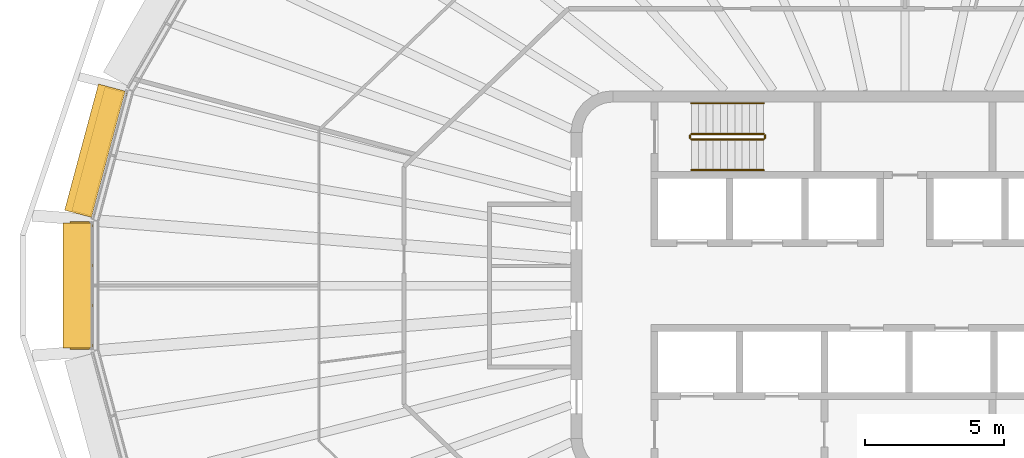
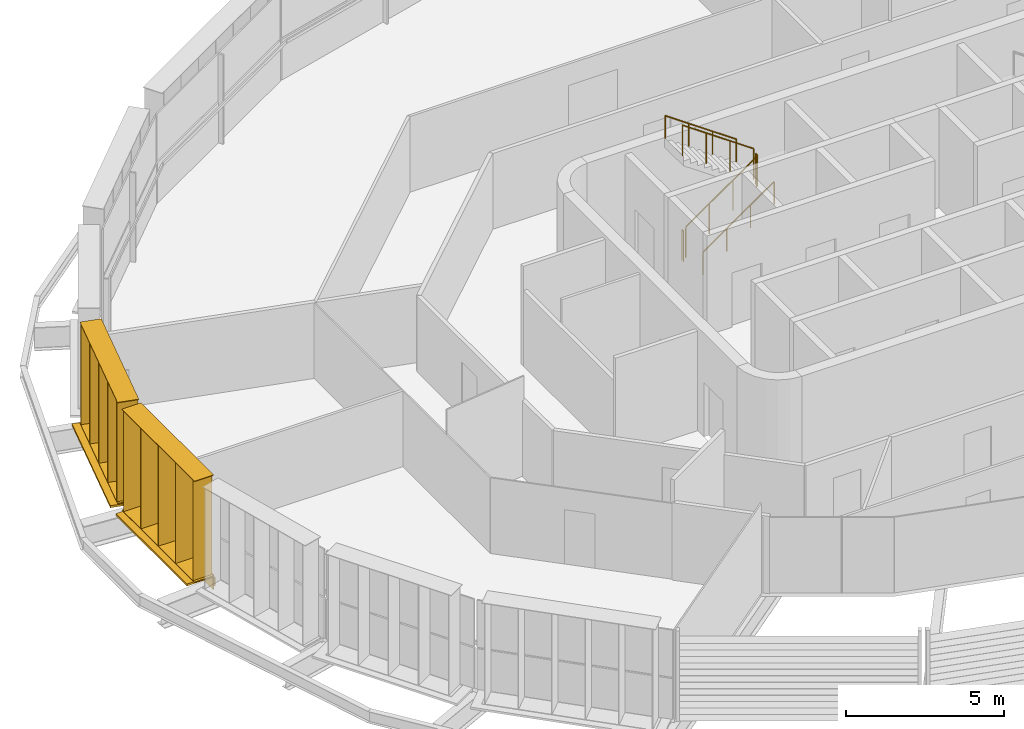
# One storey, part 15 of 19: 6 railings, 4 shading devices.
"""IFC4 building model written with IfcOpenShell, lengths in metres."""

from ifc_helpers import new_model, si_unit, direction, frame, origin, origin_2d, place, context, subcontext, project, spatial, rectangle, circle, extrude, material, type_object, element, save


model = new_model("IFC4")

# Units and contexts
model_context = context("Model", 3, precision=1e-05, world=origin(), true_north=direction((0.0, 1.0)))
body_context = subcontext(model_context, "Body", "Model", "MODEL_VIEW")
ifc_project = project(units=[si_unit("LENGTHUNIT", "METRE"), si_unit("AREAUNIT", "SQUARE_METRE"), si_unit("VOLUMEUNIT", "CUBIC_METRE"), si_unit("PLANEANGLEUNIT", "RADIAN"), si_unit("MASSUNIT", "GRAM", prefix="KILO")], contexts=[model_context])

# Site, building, storey
site_placement = place(None, origin())
site = spatial("IfcSite", under=ifc_project, at=site_placement, CompositionType="ELEMENT")
building_placement = place(site_placement, origin())
building = spatial("IfcBuilding", under=site, at=building_placement, Name="Sahrelin Media Tower", CompositionType="ELEMENT")
storey_placement = place(building_placement, frame((0.0, 0.0, 279.0)))
storey = spatial("IfcBuildingStorey", under=building, at=storey_placement, Name="L61", CompositionType="ELEMENT", Elevation=279.0)

# Shading devices
ifc_material_1 = material(Name="Champagne anodised aluminium 6063-T6", Category="aluminium")
shading_device_type_1 = type_object("IfcShadingDeviceType", Name="Fin cassette", PredefinedType="USERDEFINED", material=ifc_material_1)
placement_1 = place(storey_placement, frame((-28.601318359375, 4.712646484375, 0.0), z_axis=(0.0, 0.0, 1.0), x_axis=(0.258807731996, 0.965928857556, 0.0)))
element("IfcShadingDevice", 1, at=placement_1, inside=storey, type_object=shading_device_type_1, Name="L61:FIN:L61-11", ObjectType="FIN", PredefinedType="USERDEFINED", context=body_context, shape_type="SweptSolid", body=[
    extrude(rectangle(XDim=4.60009765625, YDim=0.699951171875, at=origin_2d()), frame((0.0, 0.419921875, 0.0)), (0.0, 0.0, 1.0), 0.02001953125),
    extrude(rectangle(XDim=4.60009765625, YDim=0.699951171875, at=origin_2d()), frame((0.0, 0.419921875, 3.89990234375)), (0.0, 0.0, 1.0), 0.02001953125),
    extrude(rectangle(XDim=0.02001953125, YDim=0.699951171875, at=origin_2d()), frame((-2.199951171875, 0.419921875, 0.010009765625), z_axis=(0.0, 0.0, 1.0), x_axis=(1.0, 0.0, 0.0)), (0.0, 0.0, 1.0), 3.89990234375),
    extrude(rectangle(XDim=0.02001953125, YDim=0.699951171875, at=origin_2d()), frame((-1.10009765625, 0.419921875, 0.010009765625), z_axis=(0.0, 0.0, 1.0), x_axis=(1.0, 0.0, 0.0)), (0.0, 0.0, 1.0), 3.89990234375),
    extrude(rectangle(XDim=0.02001953125, YDim=0.699951171875, at=origin_2d()), frame((0.0, 0.419921875, 0.010009765625), z_axis=(0.0, 0.0, 1.0), x_axis=(1.0, 0.0, 0.0)), (0.0, 0.0, 1.0), 3.89990234375),
    extrude(rectangle(XDim=0.02001953125, YDim=0.699951171875, at=origin_2d()), frame((1.10009765625, 0.419921875, 0.010009765625), z_axis=(0.0, 0.0, 1.0), x_axis=(1.0, 0.0, 0.0)), (0.0, 0.0, 1.0), 3.89990234375),
    extrude(rectangle(XDim=0.02001953125, YDim=0.699951171875, at=origin_2d()), frame((2.199951171875, 0.419921875, 0.010009765625), z_axis=(0.0, 0.0, 1.0), x_axis=(1.0, 0.0, 0.0)), (0.0, 0.0, 1.0), 3.89990234375),
])
placement_2 = place(storey_placement, frame((-29.234375, 0.0, 0.0), z_axis=(0.0, 0.0, 1.0), x_axis=(0.0, 1.0, 0.0)))
element("IfcShadingDevice", 2, at=placement_2, inside=storey, type_object=shading_device_type_1, Name="L61:FIN:L61-12", ObjectType="FIN", PredefinedType="USERDEFINED", context=body_context, shape_type="SweptSolid", body=[
    extrude(rectangle(XDim=4.60009765625, YDim=0.699951171875, at=origin_2d()), frame((0.0, 0.419921875, 0.0)), (0.0, 0.0, 1.0), 0.02001953125),
    extrude(rectangle(XDim=4.60009765625, YDim=0.699951171875, at=origin_2d()), frame((0.0, 0.419921875, 3.89990234375)), (0.0, 0.0, 1.0), 0.02001953125),
    extrude(rectangle(XDim=0.02001953125, YDim=0.699951171875, at=origin_2d()), frame((-2.199951171875, 0.419921875, 0.010009765625), z_axis=(0.0, 0.0, 1.0), x_axis=(1.0, 0.0, 0.0)), (0.0, 0.0, 1.0), 3.89990234375),
    extrude(rectangle(XDim=0.02001953125, YDim=0.699951171875, at=origin_2d()), frame((-1.10009765625, 0.419921875, 0.010009765625), z_axis=(0.0, 0.0, 1.0), x_axis=(1.0, 0.0, 0.0)), (0.0, 0.0, 1.0), 3.89990234375),
    extrude(rectangle(XDim=0.02001953125, YDim=0.699951171875, at=origin_2d()), frame((0.0, 0.419921875, 0.010009765625), z_axis=(0.0, 0.0, 1.0), x_axis=(1.0, 0.0, 0.0)), (0.0, 0.0, 1.0), 3.89990234375),
    extrude(rectangle(XDim=0.02001953125, YDim=0.699951171875, at=origin_2d()), frame((1.10009765625, 0.419921875, 0.010009765625), z_axis=(0.0, 0.0, 1.0), x_axis=(1.0, 0.0, 0.0)), (0.0, 0.0, 1.0), 3.89990234375),
    extrude(rectangle(XDim=0.02001953125, YDim=0.699951171875, at=origin_2d()), frame((2.199951171875, 0.419921875, 0.010009765625), z_axis=(0.0, 0.0, 1.0), x_axis=(1.0, 0.0, 0.0)), (0.0, 0.0, 1.0), 3.89990234375),
])

# Railings
ifc_material_2 = material(Name="Steel S355", Category="steel")
railing_type_1 = type_object("IfcRailingType", Name="Stair guard 1200", PredefinedType="GUARDRAIL", material=ifc_material_2)
railing_1_placement = place(storey_placement, frame((-7.675048828125, 5.25, 0.181884765625)))
element("IfcRailing", 3, at=railing_1_placement, inside=storey, type_object=railing_type_1, Name="L61 ST1 stair guard 1", PredefinedType="GUARDRAIL", context=body_context, shape_type="SweptSolid", body=[
    extrude(circle(Radius=0.02392578125, at=origin_2d()), frame((0.0, 0.0, 1.17578125), z_axis=(0.819521025635, 0.0, 0.573049115296), x_axis=(0.0, 1.0, 0.0)), (0.0, 0.0, 1.0), 3.172607421875),
    extrude(circle(Radius=0.02099609375, at=origin_2d()), origin(), (0.0, 0.0, 1.0), 1.15185546875),
    extrude(circle(Radius=0.02099609375, at=origin_2d()), frame((0.86669921875, 0.0, 0.60595703125)), (0.0, 0.0, 1.0), 1.15185546875),
    extrude(circle(Radius=0.02099609375, at=origin_2d()), frame((1.7333984375, 0.0, 1.212158203125)), (0.0, 0.0, 1.0), 1.15185546875),
    extrude(circle(Radius=0.02099609375, at=origin_2d()), frame((2.60009765625, 0.0, 1.818115234375)), (0.0, 0.0, 1.0), 1.15185546875),
])
railing_2_placement = place(storey_placement, frame((-5.02490234375, 5.300048828125, 2.0)))
element("IfcRailing", 4, at=railing_2_placement, inside=storey, type_object=railing_type_1, Name="L61 ST1 stair guard 2", PredefinedType="GUARDRAIL", context=body_context, shape_type="SweptSolid", body=[
    extrude(circle(Radius=0.02392578125, at=origin_2d()), frame((0.0, 0.0, 1.17578125), z_axis=(0.0, 1.0, 0.0), x_axis=(-1.0, 0.0, 0.0)), (0.0, 0.0, 1.0), 0.099853515625),
    extrude(circle(Radius=0.02099609375, at=origin_2d()), origin(), (0.0, 0.0, 1.0), 1.15185546875),
    extrude(circle(Radius=0.02099609375, at=origin_2d()), frame((0.0, 0.099853515625, 0.0)), (0.0, 0.0, 1.0), 1.15185546875),
])
railing_3_placement = place(storey_placement, frame((-5.074951171875, 5.449951171875, 2.181884765625)))
element("IfcRailing", 5, at=railing_3_placement, inside=storey, type_object=railing_type_1, Name="L61 ST1 stair guard 3", PredefinedType="GUARDRAIL", context=body_context, shape_type="SweptSolid", body=[
    extrude(circle(Radius=0.02392578125, at=origin_2d()), frame((0.0, 0.0, 1.17578125), z_axis=(-0.819521025635, 0.0, 0.573049115296), x_axis=(0.0, -1.0, 0.0)), (0.0, 0.0, 1.0), 3.172607421875),
    extrude(circle(Radius=0.02099609375, at=origin_2d()), origin(), (0.0, 0.0, 1.0), 1.15185546875),
    extrude(circle(Radius=0.02099609375, at=origin_2d()), frame((-0.86669921875, 0.0, 0.60595703125)), (0.0, 0.0, 1.0), 1.15185546875),
    extrude(circle(Radius=0.02099609375, at=origin_2d()), frame((-1.7333984375, 0.0, 1.212158203125)), (0.0, 0.0, 1.0), 1.15185546875),
    extrude(circle(Radius=0.02099609375, at=origin_2d()), frame((-2.60009765625, 0.0, 1.818115234375)), (0.0, 0.0, 1.0), 1.15185546875),
])
railing_4_placement = place(storey_placement, frame((-7.72509765625, 5.300048828125, 0.0)))
element("IfcRailing", 6, at=railing_4_placement, inside=storey, type_object=railing_type_1, Name="L61 ST1 stair guard 4", PredefinedType="GUARDRAIL", context=body_context, shape_type="SweptSolid", body=[
    extrude(circle(Radius=0.02392578125, at=origin_2d()), frame((0.0, 0.0, 1.17578125), z_axis=(0.0, 1.0, 0.0), x_axis=(-1.0, 0.0, 0.0)), (0.0, 0.0, 1.0), 0.099853515625),
    extrude(circle(Radius=0.02099609375, at=origin_2d()), origin(), (0.0, 0.0, 1.0), 1.15185546875),
    extrude(circle(Radius=0.02099609375, at=origin_2d()), frame((0.0, 0.099853515625, 0.0)), (0.0, 0.0, 1.0), 1.15185546875),
])
railing_type_2 = type_object("IfcRailingType", Name="Stair handrail 900", PredefinedType="HANDRAIL", material=ifc_material_2)
railing_5_placement = place(storey_placement, frame((-7.675048828125, 4.14990234375, 0.181884765625)))
element("IfcRailing", 7, at=railing_5_placement, inside=storey, type_object=railing_type_2, Name="L61 ST1 stair handrail 1", PredefinedType="HANDRAIL", context=body_context, shape_type="SweptSolid", body=[
    extrude(circle(Radius=0.02392578125, at=origin_2d()), frame((0.0, 0.0, 0.8759765625), z_axis=(0.819521025635, 0.0, 0.573049115296), x_axis=(0.0, 1.0, 0.0)), (0.0, 0.0, 1.0), 3.172607421875),
    extrude(circle(Radius=0.02099609375, at=origin_2d()), origin(), (0.0, 0.0, 1.0), 0.851806640625),
    extrude(circle(Radius=0.02099609375, at=origin_2d()), frame((0.86669921875, 0.0, 0.60595703125)), (0.0, 0.0, 1.0), 0.851806640625),
    extrude(circle(Radius=0.02099609375, at=origin_2d()), frame((1.7333984375, 0.0, 1.212158203125)), (0.0, 0.0, 1.0), 0.851806640625),
    extrude(circle(Radius=0.02099609375, at=origin_2d()), frame((2.60009765625, 0.0, 1.818115234375)), (0.0, 0.0, 1.0), 0.851806640625),
])
railing_6_placement = place(storey_placement, frame((-5.074951171875, 6.550048828125, 2.181884765625)))
element("IfcRailing", 8, at=railing_6_placement, inside=storey, type_object=railing_type_2, Name="L61 ST1 stair handrail 2", PredefinedType="HANDRAIL", context=body_context, shape_type="SweptSolid", body=[
    extrude(circle(Radius=0.02392578125, at=origin_2d()), frame((0.0, 0.0, 0.8759765625), z_axis=(-0.819521025635, 0.0, 0.573049115296), x_axis=(0.0, -1.0, 0.0)), (0.0, 0.0, 1.0), 3.172607421875),
    extrude(circle(Radius=0.02099609375, at=origin_2d()), origin(), (0.0, 0.0, 1.0), 0.851806640625),
    extrude(circle(Radius=0.02099609375, at=origin_2d()), frame((-0.86669921875, 0.0, 0.60595703125)), (0.0, 0.0, 1.0), 0.851806640625),
    extrude(circle(Radius=0.02099609375, at=origin_2d()), frame((-1.7333984375, 0.0, 1.212158203125)), (0.0, 0.0, 1.0), 0.851806640625),
    extrude(circle(Radius=0.02099609375, at=origin_2d()), frame((-2.60009765625, 0.0, 1.818115234375)), (0.0, 0.0, 1.0), 0.851806640625),
])

# Shading devices
shading_device_type_2 = type_object("IfcShadingDeviceType", Name="Sunshade band", PredefinedType="USERDEFINED", material=ifc_material_1)
element("IfcShadingDevice", 9, at=placement_1, inside=storey, type_object=shading_device_type_2, Name="L61:SUN:L61-11", ObjectType="SUNSHADE", PredefinedType="USERDEFINED", context=body_context, shape_type="SweptSolid", body=[
    extrude(rectangle(XDim=4.6923828125, YDim=0.050048828125, at=origin_2d()), frame((0.0, 0.044921875, -0.55126953125)), (0.0, 0.0, 1.0), 0.471435546875),
    extrude(rectangle(XDim=4.6923828125, YDim=1.0, at=origin_2d()), frame((0.0, 0.52001953125, -0.080078125)), (0.0, 0.0, 1.0), 0.080078125),
    extrude(rectangle(XDim=0.10009765625, YDim=0.074951171875, at=origin_2d()), frame((-2.24609375, -0.017578125, -0.47021484375)), (0.0, 0.0, 1.0), 0.300048828125),
    extrude(rectangle(XDim=0.10009765625, YDim=0.074951171875, at=origin_2d()), frame((-0.748779296875, -0.017578125, -0.47021484375)), (0.0, 0.0, 1.0), 0.300048828125),
    extrude(rectangle(XDim=0.10009765625, YDim=0.074951171875, at=origin_2d()), frame((0.748779296875, -0.017578125, -0.47021484375)), (0.0, 0.0, 1.0), 0.300048828125),
    extrude(rectangle(XDim=0.10009765625, YDim=0.074951171875, at=origin_2d()), frame((2.24609375, -0.017578125, -0.47021484375)), (0.0, 0.0, 1.0), 0.300048828125),
])
element("IfcShadingDevice", 10, at=placement_2, inside=storey, type_object=shading_device_type_2, Name="L61:SUN:L61-12", ObjectType="SUNSHADE", PredefinedType="USERDEFINED", context=body_context, shape_type="SweptSolid", body=[
    extrude(rectangle(XDim=4.49951171875, YDim=0.050048828125, at=origin_2d()), frame((0.0, 0.044921875, -0.55126953125)), (0.0, 0.0, 1.0), 0.471435546875),
    extrude(rectangle(XDim=4.49951171875, YDim=1.0, at=origin_2d()), frame((0.0, 0.52001953125, -0.080078125)), (0.0, 0.0, 1.0), 0.080078125),
    extrude(rectangle(XDim=0.10009765625, YDim=0.074951171875, at=origin_2d()), frame((-2.14990234375, -0.017578125, -0.47021484375)), (0.0, 0.0, 1.0), 0.300048828125),
    extrude(rectangle(XDim=0.10009765625, YDim=0.074951171875, at=origin_2d()), frame((-0.716552734375, -0.017578125, -0.47021484375)), (0.0, 0.0, 1.0), 0.300048828125),
    extrude(rectangle(XDim=0.10009765625, YDim=0.074951171875, at=origin_2d()), frame((0.716552734375, -0.017578125, -0.47021484375)), (0.0, 0.0, 1.0), 0.300048828125),
    extrude(rectangle(XDim=0.10009765625, YDim=0.074951171875, at=origin_2d()), frame((2.14990234375, -0.017578125, -0.47021484375)), (0.0, 0.0, 1.0), 0.300048828125),
])

save(model, "model.ifc")
